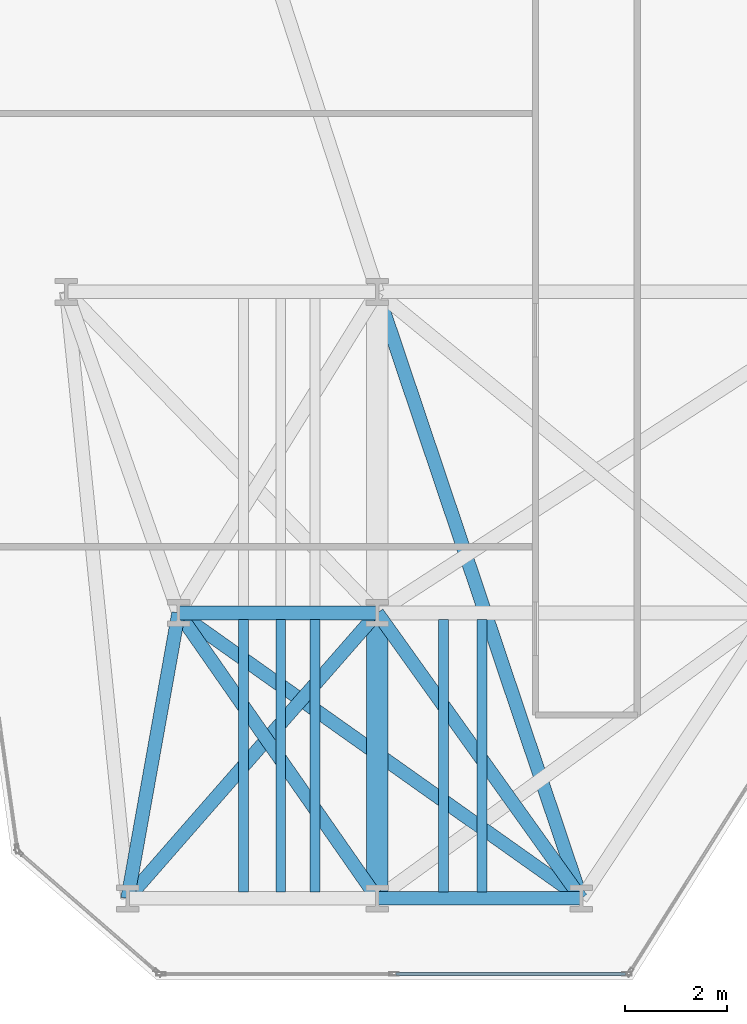
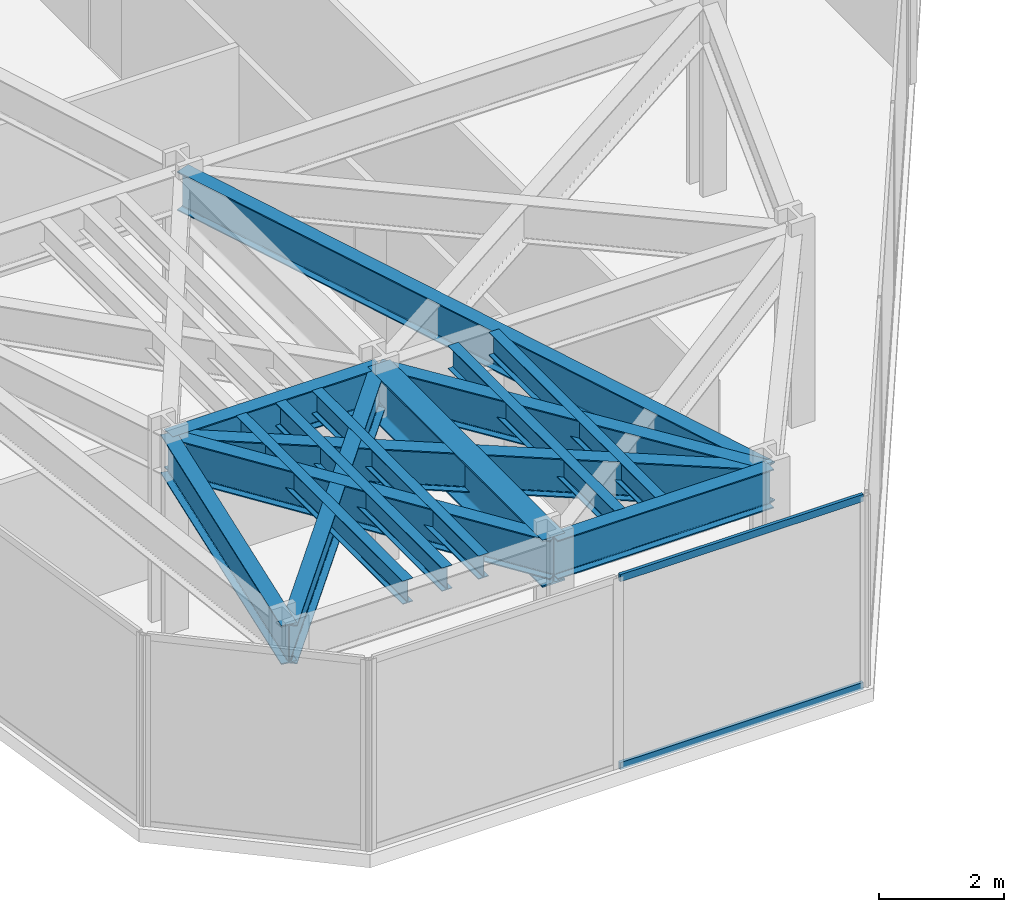
# One storey, part 3 of 25: 14 beams, 2 members, 1 element without a shape of its own.
"""IFC4 building model written with IfcOpenShell, lengths in metres."""

import ifcopenshell
import ifcopenshell.guid

model = None  # the IFC model being written
_history = None  # IfcOwnerHistory: only IFC2X3 demands one
_inside = {}  # id of a spatial element -> (the spatial element, [elements in it])
_under = {}  # id of a project, library or spatial element -> (it, [spatial elements below it])
_declared = {}  # id of a project -> (the project, [libraries it declares])
_typed = {}  # id of a type object -> (the type object, [elements of that type])
_made_of = {}  # id of a material, layer set ... -> (it, [elements and type objects made of it])


def new_model(schema):
    """Start an empty IFC model of exactly this schema.

    Asked for "IFC4X3", IfcOpenShell would pick the latest addendum, in which some entities
    have other attributes; the version numbers below select the first issue.
    IFC2X3 requires an IfcOwnerHistory on every rooted entity: one is made here for all.
    """
    global model, _history
    if schema == "IFC4X3":
        model = ifcopenshell.file(schema_version=(4, 3, 0, 0))
    else:
        model = ifcopenshell.file(schema=schema)
    _inside.clear()
    _under.clear()
    _declared.clear()
    _typed.clear()
    _made_of.clear()
    _history = None
    if model.schema == "IFC2X3":
        org = make("IfcOrganization", Name="unknown")
        user = make(
            "IfcPersonAndOrganization",
            ThePerson=make("IfcPerson", FamilyName="unknown"),
            TheOrganization=org,
        )
        app = make(
            "IfcApplication",
            ApplicationDeveloper=org,
            Version="unknown",
            ApplicationFullName="unknown",
            ApplicationIdentifier="unknown",
        )
        _history = make(
            "IfcOwnerHistory",
            OwningUser=user,
            OwningApplication=app,
            ChangeAction="ADDED",
            CreationDate=0,
        )
    return model


def make(cls, **values):
    """One entity of the class cls with the attributes given. An attribute that is None is left unset."""
    return model.create_entity(
        cls, **{name: value for name, value in values.items() if value is not None}
    )


def rooted(cls, **values):
    """An entity with a GlobalId (a new one), such as an element, a storey or a relation."""
    return make(cls, GlobalId=ifcopenshell.guid.new(), OwnerHistory=_history, **values)


def si_unit(unit_type, name, prefix=None):
    """IfcSIUnit, for example si_unit("LENGTHUNIT", "METRE", prefix="MILLI")."""
    return make("IfcSIUnit", UnitType=unit_type, Prefix=prefix, Name=name)


def assignment(units):
    """IfcUnitAssignment: the units of a project."""
    return None if units is None else make("IfcUnitAssignment", Units=units)


def point(xyz):
    """IfcCartesianPoint."""
    return None if xyz is None else make("IfcCartesianPoint", Coordinates=xyz)


def direction(xyz):
    """IfcDirection."""
    return None if xyz is None else make("IfcDirection", DirectionRatios=xyz)


def frame(location, z_axis=None, x_axis=None):
    """IfcAxis2Placement3D, a coordinate frame: its origin and axes. An axis left out is left unset."""
    return make(
        "IfcAxis2Placement3D",
        Location=point(location),
        Axis=direction(z_axis),
        RefDirection=direction(x_axis),
    )


def frame_2d(location, x_axis=None):
    """IfcAxis2Placement2D, a coordinate frame in the plane: its origin and x axis."""
    return make(
        "IfcAxis2Placement2D", Location=point(location), RefDirection=direction(x_axis)
    )


def origin():
    """The frame at (0, 0, 0) with its axes left unset."""
    return frame((0.0, 0.0, 0.0))


def origin_2d():
    """The frame at (0, 0) in the plane with its x axis left unset."""
    return frame_2d((0.0, 0.0))


def place(relative_to, where):
    """IfcLocalPlacement: puts the frame where relative to a parent placement (None: the world)."""
    return make(
        "IfcLocalPlacement", PlacementRelTo=relative_to, RelativePlacement=where
    )


def context(
    kind, dimensions, precision=None, world=None, true_north=None, identifier=None
):
    """IfcGeometricRepresentationContext, for example the 3D "Model" context."""
    return make(
        "IfcGeometricRepresentationContext",
        ContextIdentifier=identifier,
        ContextType=kind,
        CoordinateSpaceDimension=dimensions,
        Precision=precision,
        WorldCoordinateSystem=world,
        TrueNorth=true_north,
    )


def subcontext(parent, identifier, kind, view, scale=None):
    """IfcGeometricRepresentationSubContext, for example "Body" below "Model"."""
    return make(
        "IfcGeometricRepresentationSubContext",
        ContextIdentifier=identifier,
        ContextType=kind,
        ParentContext=parent,
        TargetScale=scale,
        TargetView=view,
    )


def project(units=None, contexts=None):
    """IfcProject with its units and contexts."""
    return rooted(
        "IfcProject",
        Name="project",
        RepresentationContexts=contexts,
        UnitsInContext=assignment(units),
    )


def spatial(cls, under=None, at=None, **own):
    """A site, building, storey or space (cls), placed at a placement, below another one or the project."""
    s = rooted(cls, ObjectPlacement=at, **own)
    if under is not None:
        _under.setdefault(under.id(), (under, []))[1].append(s)
    return s


def profile(cls, at=None, kind="AREA", **sizes):
    """A parametric profile (cls). Its sizes go by their IFC names, for example OverallWidth=200.0."""
    return make(cls, ProfileType=kind, Position=at, **sizes)


def hollow_rectangle(**sizes):
    """IfcRectangleHollowProfileDef."""
    return profile("IfcRectangleHollowProfileDef", **sizes)


def i_section(**sizes):
    """IfcIShapeProfileDef."""
    return profile("IfcIShapeProfileDef", **sizes)


def extrude(swept, where, along, depth):
    """IfcExtrudedAreaSolid: the profile swept, set in the frame where, extruded along a direction by depth."""
    return make(
        "IfcExtrudedAreaSolid",
        SweptArea=swept,
        Position=where,
        ExtrudedDirection=direction(along),
        Depth=depth,
    )


def shape(context_of_items, identifier, shape_type, items):
    """IfcShapeRepresentation: the items that make up one representation, for example the "Body"."""
    return make(
        "IfcShapeRepresentation",
        ContextOfItems=context_of_items,
        RepresentationIdentifier=identifier,
        RepresentationType=shape_type,
        Items=items,
    )


def material(Name=None, Category=None):
    """IfcMaterial."""
    return make("IfcMaterial", Name=Name, Category=Category)


def layer(
    of_material, thickness, ventilated=None, Name=None, Category=None, Priority=None
):
    """IfcMaterialLayer: one layer of a wall or slab, of a material (None: an air gap)."""
    return make(
        "IfcMaterialLayer",
        Material=of_material,
        LayerThickness=thickness,
        IsVentilated=ventilated,
        Name=Name,
        Category=Category,
        Priority=Priority,
    )


def layer_set(layers, Name=None):
    """IfcMaterialLayerSet."""
    return make("IfcMaterialLayerSet", MaterialLayers=layers, LayerSetName=Name)


def material_profile(
    of_material, cross_section, Name=None, Category=None, Priority=None
):
    """IfcMaterialProfile: a cross section and its material."""
    return make(
        "IfcMaterialProfile",
        Name=Name,
        Material=of_material,
        Profile=cross_section,
        Priority=Priority,
        Category=Category,
    )


def profile_set(profiles, Name=None, composite=None):
    """IfcMaterialProfileSet."""
    return make(
        "IfcMaterialProfileSet",
        Name=Name,
        MaterialProfiles=profiles,
        CompositeProfile=composite,
    )


def made_of(thing, what):
    """Note that an element or type object is made of a material, layer set ...; save() writes the relation."""
    if what is not None:
        _made_of.setdefault(what.id(), (what, []))[1].append(thing)
    return thing


def type_object(cls, material=None, **own):
    """A type object (cls), such as IfcWallType, which elements share."""
    return made_of(rooted(cls, **own), material)


def element(
    cls,
    number,
    at=None,
    inside=None,
    cuts=None,
    type_object=None,
    material=None,
    context=None,
    identifier="Body",
    shape_type=None,
    held_by="IfcProductDefinitionShape",
    body=None,
    shapes=None,
    **own,
):
    """One element of the class cls, such as IfcWall. Its Tag is "e" and its number.

    at: its placement. inside: the storey or other place that contains it. cuts: it is an
    opening in that element (IfcRelVoidsElement). A single representation is given by context,
    identifier, shape_type and body (its items); several are given by shapes. held_by: the class
    of the entity that holds the representations. save() writes the other relations.
    """
    e = rooted(cls, Tag="e%d" % number, ObjectPlacement=at, **own)
    if body is not None:
        shapes = [shape(context, identifier, shape_type, body)]
    if shapes is not None:
        e.Representation = make(held_by, Representations=shapes)
    if inside is not None:
        _inside.setdefault(inside.id(), (inside, []))[1].append(e)
    if cuts is not None:
        rooted(
            "IfcRelVoidsElement", RelatingBuildingElement=cuts, RelatedOpeningElement=e
        )
    if type_object is not None:
        _typed.setdefault(type_object.id(), (type_object, []))[1].append(e)
    return made_of(e, material)


def aggregate(whole, parts):
    """IfcRelAggregates: a whole, such as a stair, and the parts it consists of."""
    return rooted("IfcRelAggregates", RelatingObject=whole, RelatedObjects=parts)


def save(model, path):
    """Write the relations noted so far, then the file.

    IfcRelAggregates (storeys below a building ...), IfcRelContainedInSpatialStructure (elements
    in a storey), IfcRelDefinesByType, IfcRelAssociatesMaterial and IfcRelDeclares: one each for
    every whole, place, type object, material and project.
    """
    for whole, parts in _under.values():
        aggregate(whole, parts)
    for where, things in _inside.values():
        rooted(
            "IfcRelContainedInSpatialStructure",
            RelatedElements=things,
            RelatingStructure=where,
        )
    for kind, things in _typed.values():
        rooted("IfcRelDefinesByType", RelatedObjects=things, RelatingType=kind)
    for what, things in _made_of.values():
        rooted("IfcRelAssociatesMaterial", RelatedObjects=things, RelatingMaterial=what)
    for by, libraries in _declared.values():
        rooted("IfcRelDeclares", RelatingContext=by, RelatedDefinitions=libraries)
    model.write(path)


model = new_model("IFC4")

# Units and contexts
model_context = context("Model", 3, precision=1e-05, world=origin(), true_north=direction((0.0, 1.0)))
body_context = subcontext(model_context, "Body", "Model", "MODEL_VIEW")
ifc_project = project(units=[si_unit("LENGTHUNIT", "METRE"), si_unit("AREAUNIT", "SQUARE_METRE"), si_unit("VOLUMEUNIT", "CUBIC_METRE"), si_unit("PLANEANGLEUNIT", "RADIAN"), si_unit("MASSUNIT", "GRAM", prefix="KILO")], contexts=[model_context])

# Site, building, storey
site_placement = place(None, origin())
site = spatial("IfcSite", under=ifc_project, at=site_placement, CompositionType="ELEMENT")
building_placement = place(site_placement, origin())
building = spatial("IfcBuilding", under=site, at=building_placement, Name="Kravanh Interchange Tower", CompositionType="ELEMENT")
storey_placement = place(building_placement, frame((0.0, 0.0, 33.5)))
storey = spatial("IfcBuildingStorey", under=building, at=storey_placement, Name="L07", CompositionType="ELEMENT", Elevation=33.5)

# Curtain wall, members
ifc_material_1 = material(Name="Anodised Bronze Aluminium", Category="aluminium")
ifc_layer = layer(ifc_material_1, 0.179931640625)
ifc_layer_set = layer_set([ifc_layer], Name="Unitised Curtain Wall System CW-Z1 Lower Office")
curtain_wall_type = type_object("IfcCurtainWallType", Name="Unitised Curtain Wall System CW-Z1 Lower Office", PredefinedType="NOTDEFINED", material=ifc_layer_set)
curtain_wall_placement = place(storey_placement, origin())
curtain_wall = element("IfcCurtainWall", 1, at=curtain_wall_placement, inside=storey, type_object=curtain_wall_type, Name="L07 Unitised Curtain Wall CW-L07-06", PredefinedType="NOTDEFINED")
ifc_material_2 = material(Name="Anodised Bronze Aluminium", Category="aluminium")
ifc_material_profile_1 = material_profile(ifc_material_2, hollow_rectangle(XDim=0.06005859375, YDim=0.139892578125, WallThickness=0.00390625, at=origin_2d()), Name="ALU60X140X4")
ifc_profile_set_1 = profile_set([ifc_material_profile_1], Name="Anodised Bronze Aluminium")
member_type = type_object("IfcMemberType", Name="Curtain Wall Transom ALU60X140X4 Bronze", PredefinedType="USERDEFINED", material=ifc_profile_set_1)
member_1_placement = place(storey_placement, frame((22.36376953125, 1.1201171875, 0.030029296875), z_axis=(-1.0, 0.0, 0.0), x_axis=(0.0, -1.0, 0.0)))
member_1 = element("IfcMember", 2, at=member_1_placement, type_object=member_type, Name="CW-Z1 transom 1.1", ObjectType="TRANSOM", PredefinedType="USERDEFINED", context=body_context, shape_type="SweptSolid", body=[
    extrude(hollow_rectangle(XDim=0.06005859375, YDim=0.139892578125, WallThickness=0.00390625, at=origin_2d()), origin(), (0.0, 0.0, 1.0), 4.50146484375),
])
member_2_placement = place(storey_placement, frame((22.36376953125, 1.1201171875, 3.7099609375), z_axis=(-1.0, 0.0, 0.0), x_axis=(0.0, -1.0, 0.0)))
member_2 = element("IfcMember", 3, at=member_2_placement, type_object=member_type, Name="CW-Z1 transom 1.2", ObjectType="TRANSOM", PredefinedType="USERDEFINED", context=body_context, shape_type="SweptSolid", body=[
    extrude(hollow_rectangle(XDim=0.06005859375, YDim=0.139892578125, WallThickness=0.00390625, at=origin_2d()), origin(), (0.0, 0.0, 1.0), 4.50146484375),
])
aggregate(curtain_wall, [member_1, member_2])

# Beams
ifc_material_3 = material(Name="Structural Steel S355", Category="steel")
ifc_material_profile_2 = material_profile(ifc_material_3, i_section(OverallWidth=0.41796875, OverallDepth=0.927001953125, WebThickness=0.019287109375, FlangeThickness=0.031982421875, FilletRadius=0.028076171875, at=origin_2d()), Name="W36X231")
ifc_profile_set_2 = profile_set([ifc_material_profile_2], Name="Structural Steel S355")
beam_type_1 = type_object("IfcBeamType", Name="Floor Beam W36X231 Structural Steel S355", PredefinedType="BEAM", material=ifc_profile_set_2)
beam_1_placement = place(storey_placement, frame((17.5, 2.60009765625, 3.276611328125), z_axis=(0.0, 1.0, 0.0), x_axis=(-1.0, 0.0, 0.0)))
element("IfcBeam", 4, at=beam_1_placement, inside=storey, type_object=beam_type_1, Name="L07 Primary Floor Girder 103", PredefinedType="BEAM", context=body_context, shape_type="SweptSolid", body=[
    extrude(i_section(OverallWidth=0.41796875, OverallDepth=0.927001953125, WebThickness=0.019287109375, FlangeThickness=0.031982421875, FilletRadius=0.028076171875, at=origin_2d()), origin(), (0.0, 0.0, 1.0), 5.599853515625),
])
ifc_material_4 = material(Name="Structural Steel S355", Category="steel")
ifc_material_profile_3 = material_profile(ifc_material_4, i_section(OverallWidth=0.18994140625, OverallDepth=0.45703125, WebThickness=0.009033203125, FlangeThickness=0.014404296875, FilletRadius=0.01806640625, at=origin_2d()), Name="W18X50")
ifc_profile_set_3 = profile_set([ifc_material_profile_3], Name="Structural Steel S355")
beam_type_2 = type_object("IfcBeamType", Name="Floor Joist W18X50 Structural Steel S355", PredefinedType="JOIST", material=ifc_profile_set_3)
for number, where, z_axis, x_axis, name in (
    (5, (14.8740234375, 2.728515625, 3.511474609375), (0.0, 1.0, 0.0), (-1.0, 0.0, 0.0), "L07 Secondary Floor Joist 1"),
    (6, (15.60205078125, 2.728515625, 3.511474609375), (0.0, 1.0, 0.0), (-1.0, 0.0, 0.0), "L07 Secondary Floor Joist 2"),
    (7, (16.278076171875, 2.728515625, 3.511474609375), (0.0, 1.0, 0.0), (-1.0, 0.0, 0.0), "L07 Secondary Floor Joist 3"),
    (8, (18.798095703125, 2.728515625, 3.511474609375), (0.0, 1.0, 0.0), (-1.0, 0.0, 0.0), "L07 Secondary Floor Joist 4"),
    (9, (19.553955078125, 2.728515625, 3.511474609375), (0.0, 1.0, 0.0), (-1.0, 0.0, 0.0), "L07 Secondary Floor Joist 5"),
):
    element("IfcBeam", number, at=place(storey_placement, frame(where, z_axis=z_axis, x_axis=x_axis)), inside=storey, type_object=beam_type_2, Name=name, PredefinedType="JOIST", context=body_context, shape_type="SweptSolid", body=[
        extrude(i_section(OverallWidth=0.18994140625, OverallDepth=0.45703125, WebThickness=0.009033203125, FlangeThickness=0.014404296875, FilletRadius=0.01806640625, at=origin_2d()), origin(), (0.0, 0.0, 1.0), 5.343017578125),
    ])
ifc_material_5 = material(Name="Structural Steel S355", Category="steel")
ifc_material_profile_4 = material_profile(ifc_material_5, i_section(OverallWidth=0.26708984375, OverallDepth=0.761962890625, WebThickness=0.014404296875, FlangeThickness=0.021484375, FilletRadius=0.02490234375, at=origin_2d()), Name="W30X116")
ifc_profile_set_4 = profile_set([ifc_material_profile_4], Name="Structural Steel S355")
beam_type_3 = type_object("IfcBeamType", Name="Floor Spandrel W30X116 Structural Steel S355", PredefinedType="SPANDREL", material=ifc_profile_set_4)
beam_2_placement = place(storey_placement, frame((12.60009765625, 2.60009765625, 3.35888671875), z_axis=(0.175795094814, 0.984426779725, 0.0), x_axis=(-0.984426779725, 0.175795094814, 0.0)))
element("IfcBeam", 10, at=beam_2_placement, inside=storey, type_object=beam_type_3, Name="L07 Perimeter Spandrel 39", PredefinedType="SPANDREL", context=body_context, shape_type="SweptSolid", body=[
    extrude(i_section(OverallWidth=0.26708984375, OverallDepth=0.761962890625, WebThickness=0.014404296875, FlangeThickness=0.021484375, FilletRadius=0.02490234375, at=origin_2d()), origin(), (0.0, 0.0, 1.0), 5.6884765625),
])
beam_3_placement = place(storey_placement, frame((12.60009765625, 2.60009765625, 3.35888671875), z_axis=(0.658506930733, 0.752574662194, 0.0), x_axis=(-0.752574662194, 0.658506930733, 0.0)))
element("IfcBeam", 11, at=beam_3_placement, inside=storey, type_object=beam_type_3, Name="L07 Perimeter Spandrel 40", PredefinedType="SPANDREL", context=body_context, shape_type="SweptSolid", body=[
    extrude(i_section(OverallWidth=0.26708984375, OverallDepth=0.761962890625, WebThickness=0.014404296875, FlangeThickness=0.021484375, FilletRadius=0.02490234375, at=origin_2d()), origin(), (0.0, 0.0, 1.0), 7.44091796875),
])
beam_4_placement = place(storey_placement, frame((17.5, 2.60009765625, 3.35888671875), z_axis=(1.0, 0.0, 0.0), x_axis=(0.0, 1.0, 0.0)))
element("IfcBeam", 12, at=beam_4_placement, inside=storey, type_object=beam_type_3, Name="L07 Perimeter Spandrel 102", PredefinedType="SPANDREL", context=body_context, shape_type="SweptSolid", body=[
    extrude(i_section(OverallWidth=0.26708984375, OverallDepth=0.761962890625, WebThickness=0.014404296875, FlangeThickness=0.021484375, FilletRadius=0.02490234375, at=origin_2d()), origin(), (0.0, 0.0, 1.0), 4.0),
])
beam_5_placement = place(storey_placement, frame((17.5, 2.60009765625, 3.35888671875), z_axis=(-0.571494183969, 0.820606116045, 0.0), x_axis=(-0.820606116045, -0.571494183969, 0.0)))
element("IfcBeam", 13, at=beam_5_placement, inside=storey, type_object=beam_type_3, Name="L07 Perimeter Spandrel 104", PredefinedType="SPANDREL", context=body_context, shape_type="SweptSolid", body=[
    extrude(i_section(OverallWidth=0.26708984375, OverallDepth=0.761962890625, WebThickness=0.014404296875, FlangeThickness=0.021484375, FilletRadius=0.02490234375, at=origin_2d()), origin(), (0.0, 0.0, 1.0), 6.823974609375),
])
beam_6_placement = place(storey_placement, frame((21.5, 2.60009765625, 3.35888671875), z_axis=(-0.581248261352, 0.813726279946, 0.0), x_axis=(-0.813726279946, -0.581248261352, 0.0)))
element("IfcBeam", 14, at=beam_6_placement, inside=storey, type_object=beam_type_3, Name="L07 Perimeter Spandrel 122", PredefinedType="SPANDREL", context=body_context, shape_type="SweptSolid", body=[
    extrude(i_section(OverallWidth=0.26708984375, OverallDepth=0.761962890625, WebThickness=0.014404296875, FlangeThickness=0.021484375, FilletRadius=0.02490234375, at=origin_2d()), origin(), (0.0, 0.0, 1.0), 6.8818359375),
])
beam_7_placement = place(storey_placement, frame((21.5, 2.60009765625, 3.35888671875), z_axis=(-0.815825239527, 0.578298520274, 0.0), x_axis=(-0.578298520274, -0.815825239527, 0.0)))
element("IfcBeam", 15, at=beam_7_placement, inside=storey, type_object=beam_type_3, Name="L07 Perimeter Spandrel 123", PredefinedType="SPANDREL", context=body_context, shape_type="SweptSolid", body=[
    extrude(i_section(OverallWidth=0.26708984375, OverallDepth=0.761962890625, WebThickness=0.014404296875, FlangeThickness=0.021484375, FilletRadius=0.02490234375, at=origin_2d()), origin(), (0.0, 0.0, 1.0), 9.683349609375),
])
beam_8_placement = place(storey_placement, frame((21.5, 2.60009765625, 3.35888671875), z_axis=(-0.318618734989, 0.947882957814, 0.0), x_axis=(-0.947882957814, -0.318618734989, 0.0)))
element("IfcBeam", 16, at=beam_8_placement, inside=storey, type_object=beam_type_3, Name="L07 Perimeter Spandrel 124", PredefinedType="SPANDREL", context=body_context, shape_type="SweptSolid", body=[
    extrude(i_section(OverallWidth=0.26708984375, OverallDepth=0.761962890625, WebThickness=0.014404296875, FlangeThickness=0.021484375, FilletRadius=0.02490234375, at=origin_2d()), origin(), (0.0, 0.0, 1.0), 12.55419921875),
])
beam_9_placement = place(storey_placement, frame((13.60009765625, 8.199951171875, 3.35888671875), z_axis=(1.0, 0.0, 0.0), x_axis=(0.0, 1.0, 0.0)))
element("IfcBeam", 17, at=beam_9_placement, inside=storey, type_object=beam_type_3, Name="L07 Perimeter Spandrel 133", PredefinedType="SPANDREL", context=body_context, shape_type="SweptSolid", body=[
    extrude(i_section(OverallWidth=0.26708984375, OverallDepth=0.761962890625, WebThickness=0.014404296875, FlangeThickness=0.021484375, FilletRadius=0.02490234375, at=origin_2d()), origin(), (0.0, 0.0, 1.0), 3.89990234375),
])

save(model, "model.ifc")
